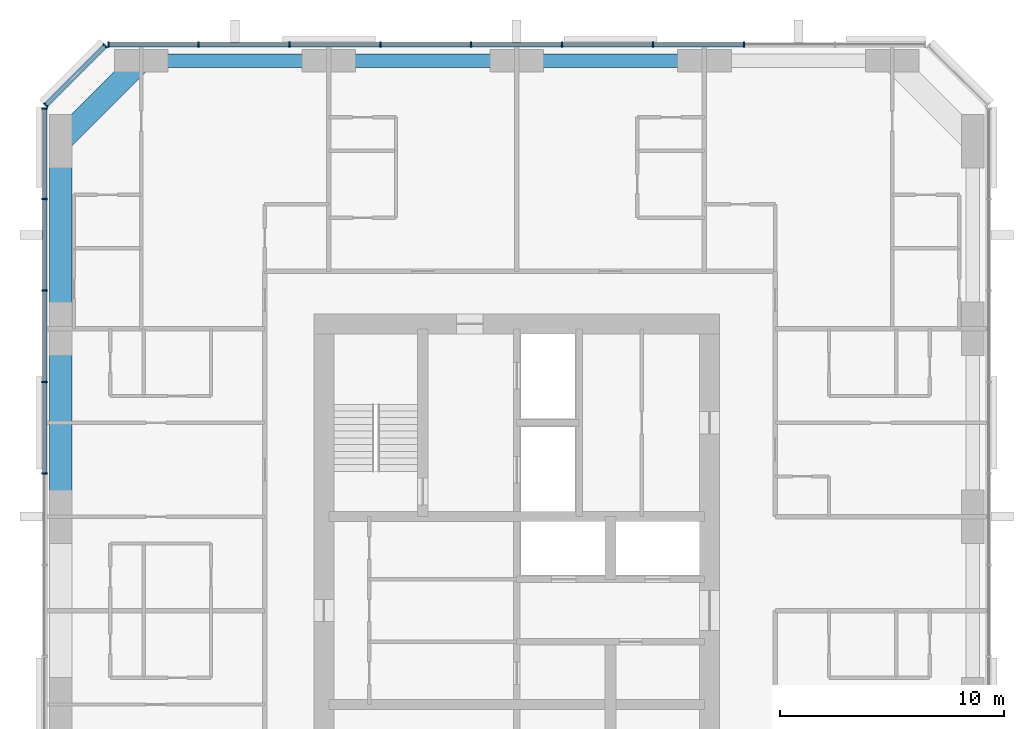
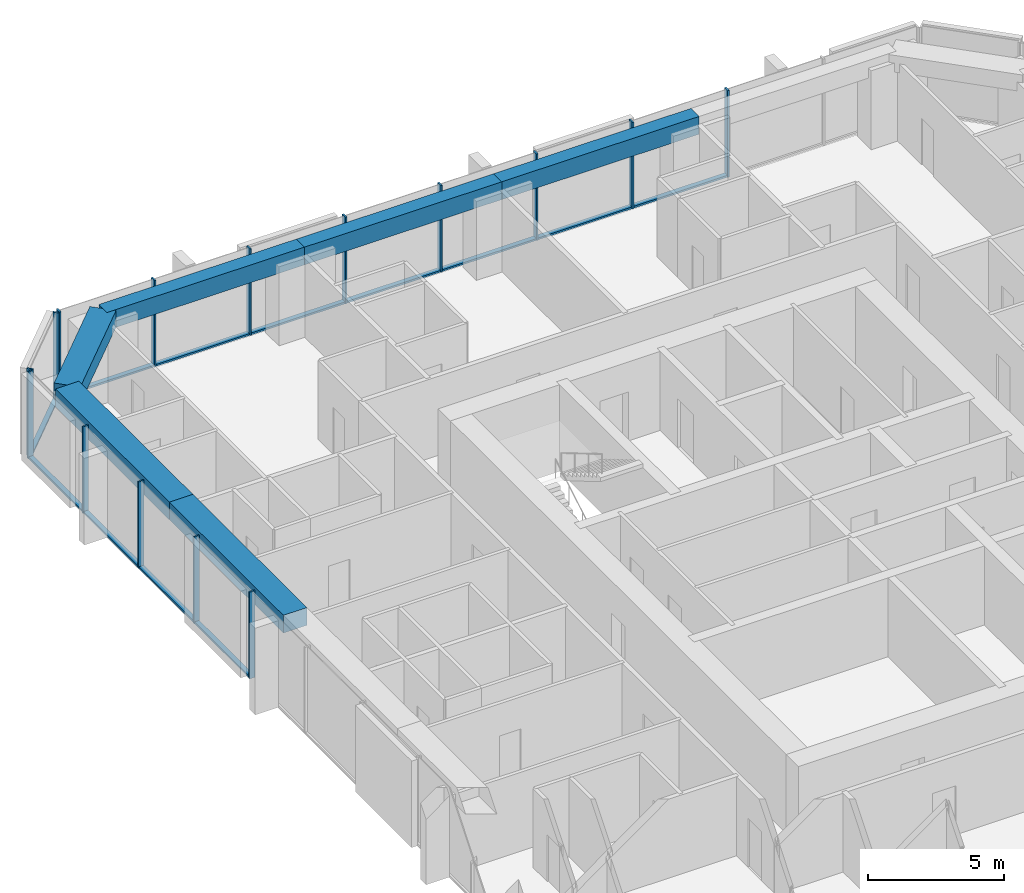
# One storey, part 4 of 12: 27 members, 6 beams, 3 elements without a shape of their own.
"""IFC4 building model written with IfcOpenShell, lengths in metres."""

from ifc_helpers import new_model, si_unit, direction, frame, origin, origin_2d, place, context, subcontext, project, spatial, rectangle, extrude, material, material_profile, profile_set, type_object, element, aggregate, save


model = new_model("IFC4")

# Units and contexts
model_context = context("Model", 3, precision=1e-05, world=origin(), true_north=direction((0.0, 1.0)))
body_context = subcontext(model_context, "Body", "Model", "MODEL_VIEW")
ifc_project = project(units=[si_unit("LENGTHUNIT", "METRE"), si_unit("AREAUNIT", "SQUARE_METRE"), si_unit("VOLUMEUNIT", "CUBIC_METRE"), si_unit("PLANEANGLEUNIT", "RADIAN"), si_unit("MASSUNIT", "GRAM", prefix="KILO")], contexts=[model_context])

# Site, building, storey
site_placement = place(None, origin())
site = spatial("IfcSite", under=ifc_project, at=site_placement, CompositionType="ELEMENT")
building_placement = place(site_placement, origin())
building = spatial("IfcBuilding", under=site, at=building_placement, Name="Dunama Terrace Hotel", CompositionType="ELEMENT")
storey_placement = place(building_placement, frame((0.0, 0.0, 237.300048828125)))
storey = spatial("IfcBuildingStorey", under=building, at=storey_placement, Name="L61", CompositionType="ELEMENT", Elevation=237.300048828125)

# Curtain wall, members
ifc_material_1 = material(Name="Aluminium curtain wall system", Category="aluminium")
curtain_wall_type = type_object("IfcCurtainWallType", Name="Unitised fritted glass wall CW-D", PredefinedType="NOTDEFINED", material=ifc_material_1)
curtain_wall_1_placement = place(storey_placement, origin())
curtain_wall_1 = element("IfcCurtainWall", 1, at=curtain_wall_1_placement, inside=storey, type_object=curtain_wall_type, Name="Unitised fritted glass wall CW-D L61", PredefinedType="NOTDEFINED")
ifc_material_2 = material(Name="Aluminium mullion", Category="aluminium")
ifc_material_profile_1 = material_profile(ifc_material_2, rectangle(XDim=0.070068359375, YDim=0.239990234375, at=origin_2d()), Name="CWD MULLION 70X240")
ifc_profile_set_1 = profile_set([ifc_material_profile_1], Name="Aluminium mullion")
member_type_1 = type_object("IfcMemberType", Name="CWD mullion 70x240", PredefinedType="MULLION", material=ifc_profile_set_1)
member_1_placement = place(storey_placement, frame((43.76708984375, 54.719970703125, 0.0), z_axis=(0.0, 0.0, 1.0), x_axis=(-1.0, 0.0, 0.0)))
member_1 = element("IfcMember", 2, at=member_1_placement, type_object=member_type_1, Name="CWD mullion", PredefinedType="MULLION", context=body_context, shape_type="SweptSolid", body=[
    extrude(rectangle(XDim=0.070068359375, YDim=0.239990234375, at=origin_2d()), origin(), (0.0, 0.0, 1.0), 3.89990234375),
])
member_2_placement = place(storey_placement, frame((39.699951171875, 54.719970703125, 0.0), z_axis=(0.0, 0.0, 1.0), x_axis=(-1.0, 0.0, 0.0)))
member_2 = element("IfcMember", 3, at=member_2_placement, type_object=member_type_1, Name="CWD mullion", PredefinedType="MULLION", context=body_context, shape_type="SweptSolid", body=[
    extrude(rectangle(XDim=0.070068359375, YDim=0.239990234375, at=origin_2d()), origin(), (0.0, 0.0, 1.0), 3.89990234375),
])
member_3_placement = place(storey_placement, frame((35.633056640625, 54.719970703125, 0.0), z_axis=(0.0, 0.0, 1.0), x_axis=(-1.0, 0.0, 0.0)))
member_3 = element("IfcMember", 4, at=member_3_placement, type_object=member_type_1, Name="CWD mullion", PredefinedType="MULLION", context=body_context, shape_type="SweptSolid", body=[
    extrude(rectangle(XDim=0.070068359375, YDim=0.239990234375, at=origin_2d()), origin(), (0.0, 0.0, 1.0), 3.89990234375),
])
member_4_placement = place(storey_placement, frame((31.56689453125, 54.719970703125, 0.0), z_axis=(0.0, 0.0, 1.0), x_axis=(-1.0, 0.0, 0.0)))
member_4 = element("IfcMember", 5, at=member_4_placement, type_object=member_type_1, Name="CWD mullion", PredefinedType="MULLION", context=body_context, shape_type="SweptSolid", body=[
    extrude(rectangle(XDim=0.070068359375, YDim=0.239990234375, at=origin_2d()), origin(), (0.0, 0.0, 1.0), 3.89990234375),
])
member_5_placement = place(storey_placement, frame((27.5, 54.719970703125, 0.0), z_axis=(0.0, 0.0, 1.0), x_axis=(-1.0, 0.0, 0.0)))
member_5 = element("IfcMember", 6, at=member_5_placement, type_object=member_type_1, Name="CWD mullion", PredefinedType="MULLION", context=body_context, shape_type="SweptSolid", body=[
    extrude(rectangle(XDim=0.070068359375, YDim=0.239990234375, at=origin_2d()), origin(), (0.0, 0.0, 1.0), 3.89990234375),
])
member_6_placement = place(storey_placement, frame((23.43310546875, 54.719970703125, 0.0), z_axis=(0.0, 0.0, 1.0), x_axis=(-1.0, 0.0, 0.0)))
member_6 = element("IfcMember", 7, at=member_6_placement, type_object=member_type_1, Name="CWD mullion", PredefinedType="MULLION", context=body_context, shape_type="SweptSolid", body=[
    extrude(rectangle(XDim=0.070068359375, YDim=0.239990234375, at=origin_2d()), origin(), (0.0, 0.0, 1.0), 3.89990234375),
])
member_7_placement = place(storey_placement, frame((19.366943359375, 54.719970703125, 0.0), z_axis=(0.0, 0.0, 1.0), x_axis=(-1.0, 0.0, 0.0)))
member_7 = element("IfcMember", 8, at=member_7_placement, type_object=member_type_1, Name="CWD mullion", PredefinedType="MULLION", context=body_context, shape_type="SweptSolid", body=[
    extrude(rectangle(XDim=0.070068359375, YDim=0.239990234375, at=origin_2d()), origin(), (0.0, 0.0, 1.0), 3.89990234375),
])
member_8_placement = place(storey_placement, frame((15.3349609375, 54.719970703125, 0.0), z_axis=(0.0, 0.0, 1.0), x_axis=(-1.0, 0.0, 0.0)))
member_8 = element("IfcMember", 9, at=member_8_placement, type_object=member_type_1, Name="CWD mullion", PredefinedType="MULLION", context=body_context, shape_type="SweptSolid", body=[
    extrude(rectangle(XDim=0.070068359375, YDim=0.239990234375, at=origin_2d()), origin(), (0.0, 0.0, 1.0), 3.89990234375),
])

curtain_wall_2_placement = place(storey_placement, origin())
curtain_wall_2 = element("IfcCurtainWall", 10, at=curtain_wall_2_placement, inside=storey, type_object=curtain_wall_type, Name="Unitised fritted glass wall CW-D L61", PredefinedType="NOTDEFINED")
member_9_placement = place(storey_placement, frame((15.18994140625, 54.659912109375, 0.0), z_axis=(0.0, 0.0, 1.0), x_axis=(-0.707106781187, -0.707106781187, 0.0)))
member_9 = element("IfcMember", 11, at=member_9_placement, type_object=member_type_1, Name="CWD mullion", PredefinedType="MULLION", context=body_context, shape_type="SweptSolid", body=[
    extrude(rectangle(XDim=0.070068359375, YDim=0.239990234375, at=origin_2d()), origin(), (0.0, 0.0, 1.0), 3.89990234375),
])
member_10_placement = place(storey_placement, frame((12.5400390625, 52.010009765625, 0.0), z_axis=(0.0, 0.0, 1.0), x_axis=(-0.707106781187, -0.707106781187, 0.0)))
member_10 = element("IfcMember", 12, at=member_10_placement, type_object=member_type_1, Name="CWD mullion", PredefinedType="MULLION", context=body_context, shape_type="SweptSolid", body=[
    extrude(rectangle(XDim=0.070068359375, YDim=0.239990234375, at=origin_2d()), origin(), (0.0, 0.0, 1.0), 3.89990234375),
])

curtain_wall_3_placement = place(storey_placement, origin())
curtain_wall_3 = element("IfcCurtainWall", 13, at=curtain_wall_3_placement, inside=storey, type_object=curtain_wall_type, Name="Unitised fritted glass wall CW-D L61", PredefinedType="NOTDEFINED")
member_11_placement = place(storey_placement, frame((12.47998046875, 51.864990234375, 0.0), z_axis=(0.0, 0.0, 1.0), x_axis=(0.0, -1.0, 0.0)))
member_11 = element("IfcMember", 14, at=member_11_placement, type_object=member_type_1, Name="CWD mullion", PredefinedType="MULLION", context=body_context, shape_type="SweptSolid", body=[
    extrude(rectangle(XDim=0.070068359375, YDim=0.239990234375, at=origin_2d()), origin(), (0.0, 0.0, 1.0), 3.89990234375),
])
member_12_placement = place(storey_placement, frame((12.47998046875, 47.80908203125, 0.0), z_axis=(0.0, 0.0, 1.0), x_axis=(0.0, -1.0, 0.0)))
member_12 = element("IfcMember", 15, at=member_12_placement, type_object=member_type_1, Name="CWD mullion", PredefinedType="MULLION", context=body_context, shape_type="SweptSolid", body=[
    extrude(rectangle(XDim=0.070068359375, YDim=0.239990234375, at=origin_2d()), origin(), (0.0, 0.0, 1.0), 3.89990234375),
])
member_13_placement = place(storey_placement, frame((12.47998046875, 43.718017578125, 0.0), z_axis=(0.0, 0.0, 1.0), x_axis=(0.0, -1.0, 0.0)))
member_13 = element("IfcMember", 16, at=member_13_placement, type_object=member_type_1, Name="CWD mullion", PredefinedType="MULLION", context=body_context, shape_type="SweptSolid", body=[
    extrude(rectangle(XDim=0.070068359375, YDim=0.239990234375, at=origin_2d()), origin(), (0.0, 0.0, 1.0), 3.89990234375),
])
member_14_placement = place(storey_placement, frame((12.47998046875, 39.626953125, 0.0), z_axis=(0.0, 0.0, 1.0), x_axis=(0.0, -1.0, 0.0)))
member_14 = element("IfcMember", 17, at=member_14_placement, type_object=member_type_1, Name="CWD mullion", PredefinedType="MULLION", context=body_context, shape_type="SweptSolid", body=[
    extrude(rectangle(XDim=0.070068359375, YDim=0.239990234375, at=origin_2d()), origin(), (0.0, 0.0, 1.0), 3.89990234375),
])
member_15_placement = place(storey_placement, frame((12.47998046875, 35.535888671875, 0.0), z_axis=(0.0, 0.0, 1.0), x_axis=(0.0, -1.0, 0.0)))
member_15 = element("IfcMember", 18, at=member_15_placement, type_object=member_type_1, Name="CWD mullion", PredefinedType="MULLION", context=body_context, shape_type="SweptSolid", body=[
    extrude(rectangle(XDim=0.070068359375, YDim=0.239990234375, at=origin_2d()), origin(), (0.0, 0.0, 1.0), 3.89990234375),
])

# Member
ifc_material_3 = material(Name="Aluminium transom", Category="aluminium")
ifc_material_profile_2 = material_profile(ifc_material_3, rectangle(XDim=0.199951171875, YDim=0.0849609375, at=origin_2d()), Name="CWD TRANSOM 200X85")
ifc_profile_set_2 = profile_set([ifc_material_profile_2], Name="Aluminium transom")
member_type_2 = type_object("IfcMemberType", Name="CWD transom 200x85", PredefinedType="USERDEFINED", material=ifc_profile_set_2)
member_16_placement = place(storey_placement, frame((43.73193359375, 54.719970703125, 0.04248046875), z_axis=(-1.0, 0.0, 0.0), x_axis=(0.0, -1.0, 0.0)))
member_16 = element("IfcMember", 19, at=member_16_placement, type_object=member_type_2, Name="CWD transom", ObjectType="TRANSOM", PredefinedType="USERDEFINED", context=body_context, shape_type="SweptSolid", body=[
    extrude(rectangle(XDim=0.199951171875, YDim=0.0849609375, at=origin_2d()), origin(), (0.0, 0.0, 1.0), 3.996826171875),
])

member_17_placement = place(storey_placement, frame((39.6650390625, 54.719970703125, 0.04248046875), z_axis=(-1.0, 0.0, 0.0), x_axis=(0.0, -1.0, 0.0)))
member_17 = element("IfcMember", 20, at=member_17_placement, type_object=member_type_2, Name="CWD transom", ObjectType="TRANSOM", PredefinedType="USERDEFINED", context=body_context, shape_type="SweptSolid", body=[
    extrude(rectangle(XDim=0.199951171875, YDim=0.0849609375, at=origin_2d()), origin(), (0.0, 0.0, 1.0), 3.9970703125),
])

member_18_placement = place(storey_placement, frame((35.597900390625, 54.719970703125, 0.04248046875), z_axis=(-1.0, 0.0, 0.0), x_axis=(0.0, -1.0, 0.0)))
member_18 = element("IfcMember", 21, at=member_18_placement, type_object=member_type_2, Name="CWD transom", ObjectType="TRANSOM", PredefinedType="USERDEFINED", context=body_context, shape_type="SweptSolid", body=[
    extrude(rectangle(XDim=0.199951171875, YDim=0.0849609375, at=origin_2d()), origin(), (0.0, 0.0, 1.0), 3.995849609375),
])

member_19_placement = place(storey_placement, frame((31.531982421875, 54.719970703125, 0.04248046875), z_axis=(-1.0, 0.0, 0.0), x_axis=(0.0, -1.0, 0.0)))
member_19 = element("IfcMember", 22, at=member_19_placement, type_object=member_type_2, Name="CWD transom", ObjectType="TRANSOM", PredefinedType="USERDEFINED", context=body_context, shape_type="SweptSolid", body=[
    extrude(rectangle(XDim=0.199951171875, YDim=0.0849609375, at=origin_2d()), origin(), (0.0, 0.0, 1.0), 3.9970703125),
])

member_20_placement = place(storey_placement, frame((27.465087890625, 54.719970703125, 0.04248046875), z_axis=(-1.0, 0.0, 0.0), x_axis=(0.0, -1.0, 0.0)))
member_20 = element("IfcMember", 23, at=member_20_placement, type_object=member_type_2, Name="CWD transom", ObjectType="TRANSOM", PredefinedType="USERDEFINED", context=body_context, shape_type="SweptSolid", body=[
    extrude(rectangle(XDim=0.199951171875, YDim=0.0849609375, at=origin_2d()), origin(), (0.0, 0.0, 1.0), 3.9970703125),
])

member_21_placement = place(storey_placement, frame((23.39794921875, 54.719970703125, 0.04248046875), z_axis=(-1.0, 0.0, 0.0), x_axis=(0.0, -1.0, 0.0)))
member_21 = element("IfcMember", 24, at=member_21_placement, type_object=member_type_2, Name="CWD transom", ObjectType="TRANSOM", PredefinedType="USERDEFINED", context=body_context, shape_type="SweptSolid", body=[
    extrude(rectangle(XDim=0.199951171875, YDim=0.0849609375, at=origin_2d()), origin(), (0.0, 0.0, 1.0), 3.995849609375),
])

member_22_placement = place(storey_placement, frame((19.33203125, 54.719970703125, 0.04248046875), z_axis=(-1.0, 0.0, 0.0), x_axis=(0.0, -1.0, 0.0)))
member_22 = element("IfcMember", 25, at=member_22_placement, type_object=member_type_2, Name="CWD transom", ObjectType="TRANSOM", PredefinedType="USERDEFINED", context=body_context, shape_type="SweptSolid", body=[
    extrude(rectangle(XDim=0.199951171875, YDim=0.0849609375, at=origin_2d()), origin(), (0.0, 0.0, 1.0), 3.9619140625),
])

aggregate(curtain_wall_1, [member_1, member_2, member_3, member_4, member_5, member_6, member_7, member_8, member_16, member_17, member_18, member_19, member_20, member_21, member_22])

member_23_placement = place(storey_placement, frame((15.166015625, 54.635009765625, 0.04248046875), z_axis=(-0.707106781187, -0.707106781187, 0.0), x_axis=(0.707106781187, -0.707106781187, 0.0)))
member_23 = element("IfcMember", 26, at=member_23_placement, type_object=member_type_2, Name="CWD transom", ObjectType="TRANSOM", PredefinedType="USERDEFINED", context=body_context, shape_type="SweptSolid", body=[
    extrude(rectangle(XDim=0.199951171875, YDim=0.0849609375, at=origin_2d()), origin(), (0.0, 0.0, 1.0), 3.678466796875),
])

aggregate(curtain_wall_2, [member_9, member_10, member_23])

member_24_placement = place(storey_placement, frame((12.47998046875, 51.830078125, 0.04248046875), z_axis=(0.0, -1.0, 0.0), x_axis=(1.0, 0.0, 0.0)))
member_24 = element("IfcMember", 27, at=member_24_placement, type_object=member_type_2, Name="CWD transom", ObjectType="TRANSOM", PredefinedType="USERDEFINED", context=body_context, shape_type="SweptSolid", body=[
    extrude(rectangle(XDim=0.199951171875, YDim=0.0849609375, at=origin_2d()), origin(), (0.0, 0.0, 1.0), 3.986083984375),
])

member_25_placement = place(storey_placement, frame((12.47998046875, 47.77392578125, 0.04248046875), z_axis=(0.0, -1.0, 0.0), x_axis=(1.0, 0.0, 0.0)))
member_25 = element("IfcMember", 28, at=member_25_placement, type_object=member_type_2, Name="CWD transom", ObjectType="TRANSOM", PredefinedType="USERDEFINED", context=body_context, shape_type="SweptSolid", body=[
    extrude(rectangle(XDim=0.199951171875, YDim=0.0849609375, at=origin_2d()), origin(), (0.0, 0.0, 1.0), 4.02099609375),
])

member_26_placement = place(storey_placement, frame((12.47998046875, 43.68310546875, 0.04248046875), z_axis=(0.0, -1.0, 0.0), x_axis=(1.0, 0.0, 0.0)))
member_26 = element("IfcMember", 29, at=member_26_placement, type_object=member_type_2, Name="CWD transom", ObjectType="TRANSOM", PredefinedType="USERDEFINED", context=body_context, shape_type="SweptSolid", body=[
    extrude(rectangle(XDim=0.199951171875, YDim=0.0849609375, at=origin_2d()), origin(), (0.0, 0.0, 1.0), 4.02099609375),
])

member_27_placement = place(storey_placement, frame((12.47998046875, 39.592041015625, 0.04248046875), z_axis=(0.0, -1.0, 0.0), x_axis=(1.0, 0.0, 0.0)))
member_27 = element("IfcMember", 30, at=member_27_placement, type_object=member_type_2, Name="CWD transom", ObjectType="TRANSOM", PredefinedType="USERDEFINED", context=body_context, shape_type="SweptSolid", body=[
    extrude(rectangle(XDim=0.199951171875, YDim=0.0849609375, at=origin_2d()), origin(), (0.0, 0.0, 1.0), 4.02099609375),
])

aggregate(curtain_wall_3, [member_11, member_12, member_13, member_14, member_15, member_24, member_25, member_26, member_27])

# Beams
ifc_material_4 = material(Name="Concrete C50/60", Category="concrete")
ifc_material_profile_3 = material_profile(ifc_material_4, rectangle(XDim=1.0, YDim=0.75, at=origin_2d()), Name="RC 1000x750")
ifc_profile_set_3 = profile_set([ifc_material_profile_3], Name="Concrete C50/60")
beam_type_1 = type_object("IfcBeamType", Name="Edge beam RC 1000x750", PredefinedType="SPANDREL", material=ifc_profile_set_3)
beam_1_placement = place(storey_placement, frame((16.800048828125, 54.0, 3.52490234375), z_axis=(-0.707106781187, -0.707106781187, 0.0), x_axis=(0.707106781187, -0.707106781187, 0.0)))
element("IfcBeam", 31, at=beam_1_placement, inside=storey, type_object=beam_type_1, Name="Corner edge beam under L62", PredefinedType="SPANDREL", context=body_context, shape_type="SweptSolid", body=[
    extrude(rectangle(XDim=1.0, YDim=0.75, at=origin_2d()), origin(), (0.0, 0.0, 1.0), 5.09130859375),
])
ifc_material_5 = material(Name="Concrete C40/50", Category="concrete")
ifc_material_profile_4 = material_profile(ifc_material_5, rectangle(XDim=1.0, YDim=0.800048828125, at=origin_2d()), Name="RC 1000x800")
ifc_profile_set_4 = profile_set([ifc_material_profile_4], Name="Concrete C40/50")
beam_type_2 = type_object("IfcBeamType", Name="Edge beam RC 1000x800", PredefinedType="SPANDREL", material=ifc_profile_set_4)
for number, where, z_axis, x_axis, name in (
    (32, (13.199951171875, 33.60009765625, 3.5), (0.0, 1.0, 0.0), (-1.0, 0.0, 0.0), "Edge beam under L62"),
    (33, (13.199951171875, 42.0, 3.5), (0.0, 1.0, 0.0), (-1.0, 0.0, 0.0), "Edge beam under L62"),
):
    element("IfcBeam", number, at=place(storey_placement, frame(where, z_axis=z_axis, x_axis=x_axis)), inside=storey, type_object=beam_type_2, Name=name, PredefinedType="SPANDREL", context=body_context, shape_type="SweptSolid", body=[
        extrude(rectangle(XDim=1.0, YDim=0.800048828125, at=origin_2d()), origin(), (0.0, 0.0, 1.0), 8.39990234375),
    ])
ifc_material_6 = material(Name="Concrete C40/50", Category="concrete")
ifc_material_profile_5 = material_profile(ifc_material_6, rectangle(XDim=0.60009765625, YDim=0.800048828125, at=origin_2d()), Name="RC 600x800")
ifc_profile_set_5 = profile_set([ifc_material_profile_5], Name="Concrete C40/50")
beam_type_3 = type_object("IfcBeamType", Name="Edge beam RC 600x800", PredefinedType="SPANDREL", material=ifc_profile_set_5)
beam_2_placement = place(storey_placement, frame((16.800048828125, 54.0, 3.5), z_axis=(1.0, 0.0, 0.0), x_axis=(0.0, 1.0, 0.0)))
element("IfcBeam", 34, at=beam_2_placement, inside=storey, type_object=beam_type_3, Name="Edge beam under L62", PredefinedType="SPANDREL", context=body_context, shape_type="SweptSolid", body=[
    extrude(rectangle(XDim=0.60009765625, YDim=0.800048828125, at=origin_2d()), origin(), (0.0, 0.0, 1.0), 8.39990234375),
])
beam_3_placement = place(storey_placement, frame((25.199951171875, 54.0, 3.5), z_axis=(1.0, 0.0, 0.0), x_axis=(0.0, 1.0, 0.0)))
element("IfcBeam", 35, at=beam_3_placement, inside=storey, type_object=beam_type_3, Name="Edge beam under L62", PredefinedType="SPANDREL", context=body_context, shape_type="SweptSolid", body=[
    extrude(rectangle(XDim=0.60009765625, YDim=0.800048828125, at=origin_2d()), origin(), (0.0, 0.0, 1.0), 8.400146484375),
])
beam_4_placement = place(storey_placement, frame((33.60009765625, 54.0, 3.5), z_axis=(1.0, 0.0, 0.0), x_axis=(0.0, 1.0, 0.0)))
element("IfcBeam", 36, at=beam_4_placement, inside=storey, type_object=beam_type_3, Name="Edge beam under L62", PredefinedType="SPANDREL", context=body_context, shape_type="SweptSolid", body=[
    extrude(rectangle(XDim=0.60009765625, YDim=0.800048828125, at=origin_2d()), origin(), (0.0, 0.0, 1.0), 8.39990234375),
])

save(model, "model.ifc")
